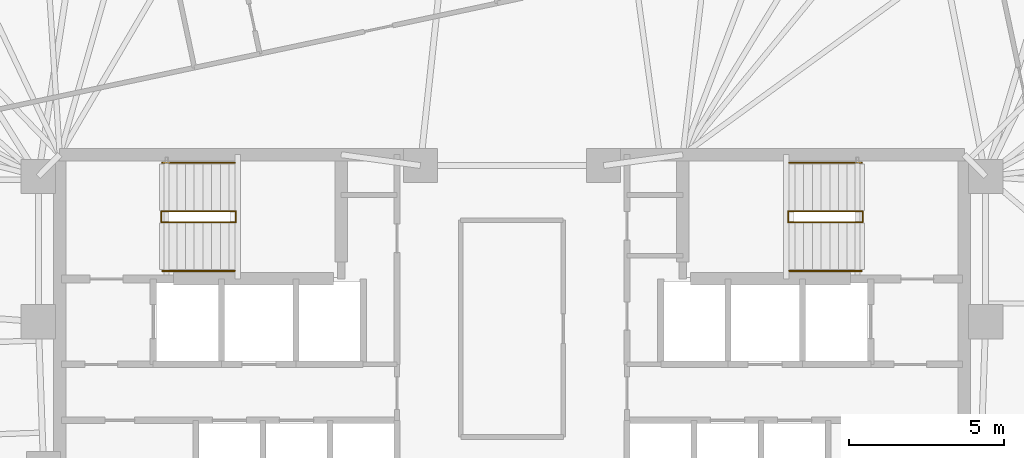
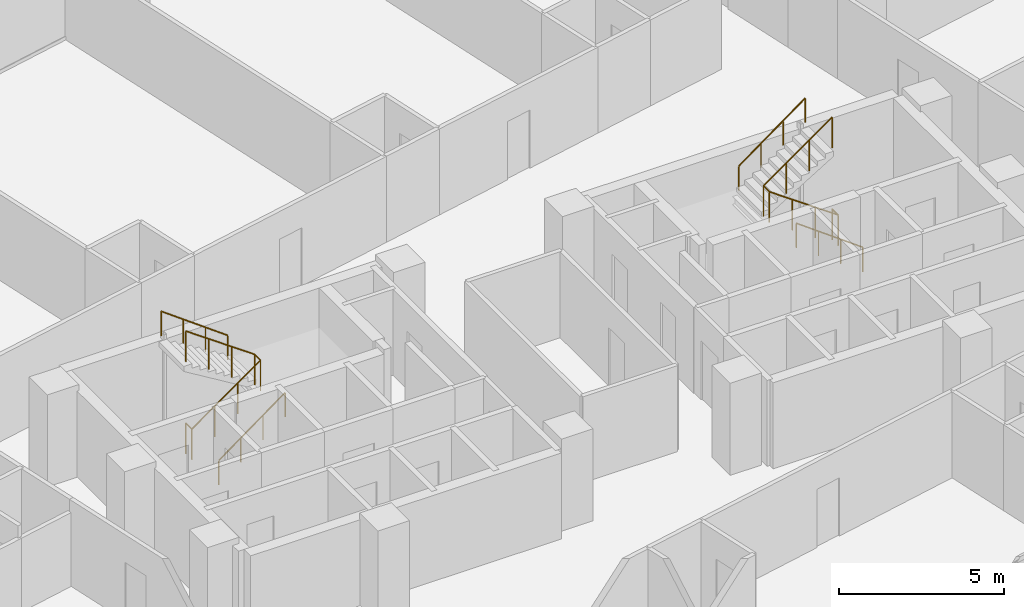
# One storey, part 19 of 19: 6 railings.
"""IFC4 building model written with IfcOpenShell, lengths in metres."""

from ifc_helpers import new_model, si_unit, direction, frame, origin, origin_2d, place, context, subcontext, project, spatial, circle, extrude, material, type_object, element, save


model = new_model("IFC4")

# Units and contexts
model_context = context("Model", 3, precision=1e-05, world=origin(), true_north=direction((0.0, 1.0)))
body_context = subcontext(model_context, "Body", "Model", "MODEL_VIEW")
ifc_project = project(units=[si_unit("LENGTHUNIT", "METRE"), si_unit("AREAUNIT", "SQUARE_METRE"), si_unit("VOLUMEUNIT", "CUBIC_METRE"), si_unit("PLANEANGLEUNIT", "RADIAN"), si_unit("MASSUNIT", "GRAM", prefix="KILO")], contexts=[model_context])

# Site, building, storey
site_placement = place(None, origin())
site = spatial("IfcSite", under=ifc_project, at=site_placement, CompositionType="ELEMENT")
building_placement = place(site_placement, origin())
building = spatial("IfcBuilding", under=site, at=building_placement, Name="Menara Jurai Vektor", CompositionType="ELEMENT")
storey_placement = place(building_placement, frame((0.0, 0.0, 195.60009765625)))
storey = spatial("IfcBuildingStorey", under=building, at=storey_placement, Name="L51", CompositionType="ELEMENT", Elevation=195.60009765625)

# Railings
ifc_material_1 = material(Name="Painted Galvanised Steel Balustrade", Category="steel")
railing_type_1 = type_object("IfcRailingType", Name="RAIL-STAIR-GUARD", PredefinedType="GUARDRAIL", material=ifc_material_1)
railing_1_placement = place(storey_placement, frame((-11.2900390625, 3.780029296875, 0.0)))
element("IfcRailing", 1, at=railing_1_placement, inside=storey, type_object=railing_type_1, Name="ST1 Stair Guardrail 1 L51", PredefinedType="GUARDRAIL", context=body_context, shape_type="SweptSolid", body=[
    extrude(circle(Radius=0.02392578125, at=origin_2d()), frame((0.0, 0.0, 1.1259765625), z_axis=(0.0, -1.0, 0.0), x_axis=(1.0, 0.0, 0.0)), (0.0, 0.0, 1.0), 0.360107421875),
    extrude(circle(Radius=0.02392578125, at=origin_2d()), frame((0.0, -0.360107421875, 1.1259765625), z_axis=(0.816048950856, 0.0, 0.577982793694), x_axis=(0.0, 1.0, 0.0)), (0.0, 0.0, 1.0), 2.941162109375),
    extrude(circle(Radius=0.02392578125, at=origin_2d()), frame((2.400146484375, -0.360107421875, 2.82568359375), z_axis=(0.0, 1.0, 0.0), x_axis=(-1.0, 0.0, 0.0)), (0.0, 0.0, 1.0), 0.360107421875),
    extrude(circle(Radius=0.02392578125, at=origin_2d()), frame((2.400146484375, 0.0, 2.82568359375), z_axis=(-0.816048950856, 0.0, 0.577982793694), x_axis=(0.0, -1.0, 0.0)), (0.0, 0.0, 1.0), 2.941162109375),
    extrude(circle(Radius=0.02099609375, at=origin_2d()), origin(), (0.0, 0.0, 1.0), 1.101806640625),
    extrude(circle(Radius=0.02099609375, at=origin_2d()), frame((0.0, -0.360107421875, 0.0)), (0.0, 0.0, 1.0), 1.101806640625),
    extrude(circle(Radius=0.02099609375, at=origin_2d()), frame((0.800048828125, -0.360107421875, 0.566650390625)), (0.0, 0.0, 1.0), 1.101806640625),
    extrude(circle(Radius=0.02099609375, at=origin_2d()), frame((1.60009765625, -0.360107421875, 1.13330078125)), (0.0, 0.0, 1.0), 1.101806640625),
    extrude(circle(Radius=0.02099609375, at=origin_2d()), frame((2.400146484375, -0.360107421875, 1.699951171875)), (0.0, 0.0, 1.0), 1.101806640625),
    extrude(circle(Radius=0.02099609375, at=origin_2d()), frame((2.400146484375, 0.0, 1.699951171875)), (0.0, 0.0, 1.0), 1.101806640625),
    extrude(circle(Radius=0.02099609375, at=origin_2d()), frame((1.60009765625, 0.0, 2.2666015625)), (0.0, 0.0, 1.0), 1.101806640625),
    extrude(circle(Radius=0.02099609375, at=origin_2d()), frame((0.800048828125, 0.0, 2.833251953125)), (0.0, 0.0, 1.0), 1.101806640625),
    extrude(circle(Radius=0.02099609375, at=origin_2d()), frame((0.0, 0.0, 3.39990234375)), (0.0, 0.0, 1.0), 1.101806640625),
])
railing_2_placement = place(storey_placement, frame((11.2900390625, 3.780029296875, 0.0)))
element("IfcRailing", 2, at=railing_2_placement, inside=storey, type_object=railing_type_1, Name="ST2 Stair Guardrail 1 L51", PredefinedType="GUARDRAIL", context=body_context, shape_type="SweptSolid", body=[
    extrude(circle(Radius=0.02392578125, at=origin_2d()), frame((0.0, 0.0, 1.1259765625), z_axis=(0.0, -1.0, 0.0), x_axis=(1.0, 0.0, 0.0)), (0.0, 0.0, 1.0), 0.360107421875),
    extrude(circle(Radius=0.02392578125, at=origin_2d()), frame((0.0, -0.360107421875, 1.1259765625), z_axis=(-0.816048950856, 0.0, 0.577982793694), x_axis=(0.0, -1.0, 0.0)), (0.0, 0.0, 1.0), 2.941162109375),
    extrude(circle(Radius=0.02392578125, at=origin_2d()), frame((-2.400146484375, -0.360107421875, 2.82568359375), z_axis=(0.0, 1.0, 0.0), x_axis=(-1.0, 0.0, 0.0)), (0.0, 0.0, 1.0), 0.360107421875),
    extrude(circle(Radius=0.02392578125, at=origin_2d()), frame((-2.400146484375, 0.0, 2.82568359375), z_axis=(0.816048950856, 0.0, 0.577982793694), x_axis=(0.0, 1.0, 0.0)), (0.0, 0.0, 1.0), 2.941162109375),
    extrude(circle(Radius=0.02099609375, at=origin_2d()), origin(), (0.0, 0.0, 1.0), 1.101806640625),
    extrude(circle(Radius=0.02099609375, at=origin_2d()), frame((0.0, -0.360107421875, 0.0)), (0.0, 0.0, 1.0), 1.101806640625),
    extrude(circle(Radius=0.02099609375, at=origin_2d()), frame((-0.800048828125, -0.360107421875, 0.566650390625)), (0.0, 0.0, 1.0), 1.101806640625),
    extrude(circle(Radius=0.02099609375, at=origin_2d()), frame((-1.60009765625, -0.360107421875, 1.13330078125)), (0.0, 0.0, 1.0), 1.101806640625),
    extrude(circle(Radius=0.02099609375, at=origin_2d()), frame((-2.400146484375, -0.360107421875, 1.699951171875)), (0.0, 0.0, 1.0), 1.101806640625),
    extrude(circle(Radius=0.02099609375, at=origin_2d()), frame((-2.400146484375, 0.0, 1.699951171875)), (0.0, 0.0, 1.0), 1.101806640625),
    extrude(circle(Radius=0.02099609375, at=origin_2d()), frame((-1.60009765625, 0.0, 2.2666015625)), (0.0, 0.0, 1.0), 1.101806640625),
    extrude(circle(Radius=0.02099609375, at=origin_2d()), frame((-0.800048828125, 0.0, 2.833251953125)), (0.0, 0.0, 1.0), 1.101806640625),
    extrude(circle(Radius=0.02099609375, at=origin_2d()), frame((0.0, 0.0, 3.39990234375)), (0.0, 0.0, 1.0), 1.101806640625),
])
ifc_material_2 = material(Name="Brushed Stainless Steel Handrail", Category="steel")
railing_type_2 = type_object("IfcRailingType", Name="RAIL-STAIR-HAND", PredefinedType="HANDRAIL", material=ifc_material_2)
railing_3_placement = place(storey_placement, frame((-11.25, 1.860107421875, 0.0)))
element("IfcRailing", 3, at=railing_3_placement, inside=storey, type_object=railing_type_2, Name="ST1 Stair Handrail 1 L51", PredefinedType="HANDRAIL", context=body_context, shape_type="SweptSolid", body=[
    extrude(circle(Radius=0.02392578125, at=origin_2d()), frame((0.0, 0.0, 0.89599609375), z_axis=(0.806642406755, 0.0, 0.591039785145), x_axis=(0.0, 1.0, 0.0)), (0.0, 0.0, 1.0), 2.876220703125),
    extrude(circle(Radius=0.02099609375, at=origin_2d()), origin(), (0.0, 0.0, 1.0), 0.871826171875),
    extrude(circle(Radius=0.02099609375, at=origin_2d()), frame((0.7734375, 0.0, 0.566650390625)), (0.0, 0.0, 1.0), 0.871826171875),
    extrude(circle(Radius=0.02099609375, at=origin_2d()), frame((1.546630859375, 0.0, 1.13330078125)), (0.0, 0.0, 1.0), 0.871826171875),
    extrude(circle(Radius=0.02099609375, at=origin_2d()), frame((2.320068359375, 0.0, 1.699951171875)), (0.0, 0.0, 1.0), 0.871826171875),
])
for number, where, name in (
    (4, (-8.929931640625, 5.340087890625, 1.699951171875), "ST1 Stair Handrail 2 L51"),
    (5, (11.25, 1.860107421875, 0.0), "ST2 Stair Handrail 1 L51"),
):
    element("IfcRailing", number, at=place(storey_placement, frame(where)), inside=storey, type_object=railing_type_2, Name=name, PredefinedType="HANDRAIL", context=body_context, shape_type="SweptSolid", body=[
        extrude(circle(Radius=0.02392578125, at=origin_2d()), frame((0.0, 0.0, 0.89599609375), z_axis=(-0.806642406755, 0.0, 0.591039785145), x_axis=(0.0, -1.0, 0.0)), (0.0, 0.0, 1.0), 2.876220703125),
        extrude(circle(Radius=0.02099609375, at=origin_2d()), origin(), (0.0, 0.0, 1.0), 0.871826171875),
        extrude(circle(Radius=0.02099609375, at=origin_2d()), frame((-0.7734375, 0.0, 0.566650390625)), (0.0, 0.0, 1.0), 0.871826171875),
        extrude(circle(Radius=0.02099609375, at=origin_2d()), frame((-1.546630859375, 0.0, 1.13330078125)), (0.0, 0.0, 1.0), 0.871826171875),
        extrude(circle(Radius=0.02099609375, at=origin_2d()), frame((-2.320068359375, 0.0, 1.699951171875)), (0.0, 0.0, 1.0), 0.871826171875),
    ])
railing_4_placement = place(storey_placement, frame((8.929931640625, 5.340087890625, 1.699951171875)))
element("IfcRailing", 6, at=railing_4_placement, inside=storey, type_object=railing_type_2, Name="ST2 Stair Handrail 2 L51", PredefinedType="HANDRAIL", context=body_context, shape_type="SweptSolid", body=[
    extrude(circle(Radius=0.02392578125, at=origin_2d()), frame((0.0, 0.0, 0.89599609375), z_axis=(0.806642406755, 0.0, 0.591039785145), x_axis=(0.0, 1.0, 0.0)), (0.0, 0.0, 1.0), 2.876220703125),
    extrude(circle(Radius=0.02099609375, at=origin_2d()), origin(), (0.0, 0.0, 1.0), 0.871826171875),
    extrude(circle(Radius=0.02099609375, at=origin_2d()), frame((0.7734375, 0.0, 0.566650390625)), (0.0, 0.0, 1.0), 0.871826171875),
    extrude(circle(Radius=0.02099609375, at=origin_2d()), frame((1.546630859375, 0.0, 1.13330078125)), (0.0, 0.0, 1.0), 0.871826171875),
    extrude(circle(Radius=0.02099609375, at=origin_2d()), frame((2.320068359375, 0.0, 1.699951171875)), (0.0, 0.0, 1.0), 0.871826171875),
])

save(model, "model.ifc")
